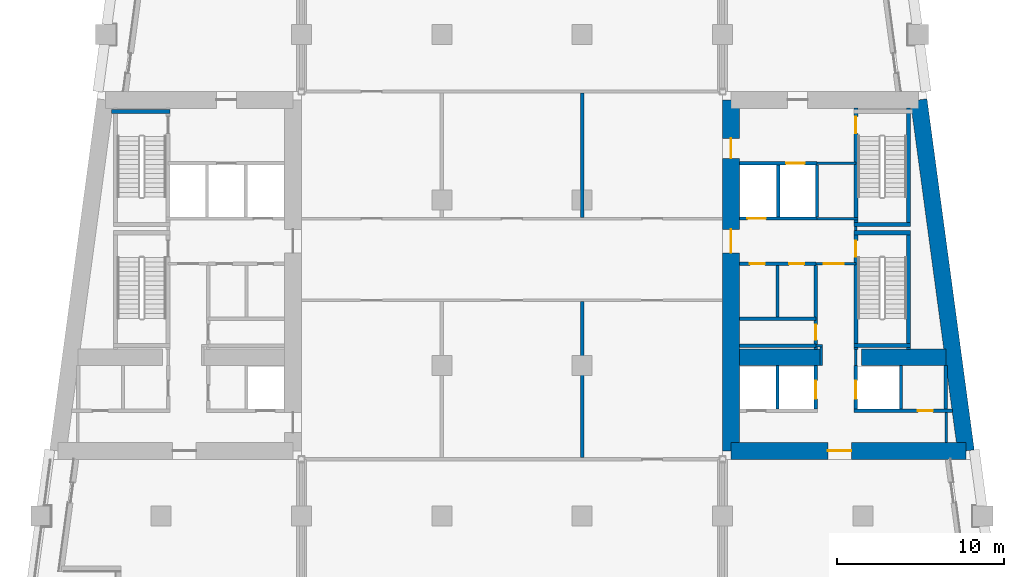
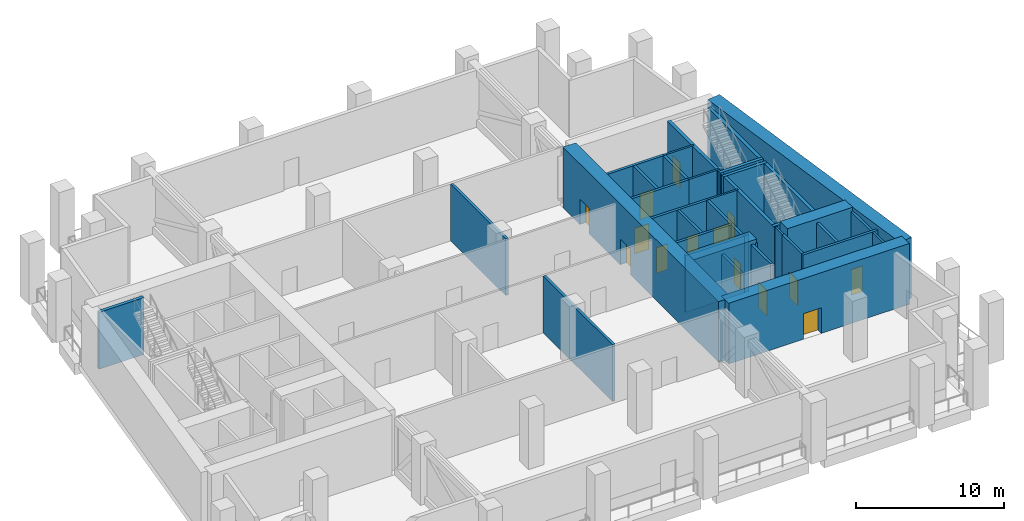
# One storey, part 6 of 11: 38 walls, 14 doors, 14 openings.
"""IFC4 building model written with IfcOpenShell, lengths in metres."""

import ifcopenshell
import ifcopenshell.guid

model = None  # the IFC model being written
_history = None  # IfcOwnerHistory: only IFC2X3 demands one
_inside = {}  # id of a spatial element -> (the spatial element, [elements in it])
_under = {}  # id of a project, library or spatial element -> (it, [spatial elements below it])
_declared = {}  # id of a project -> (the project, [libraries it declares])
_typed = {}  # id of a type object -> (the type object, [elements of that type])
_made_of = {}  # id of a material, layer set ... -> (it, [elements and type objects made of it])


def new_model(schema):
    """Start an empty IFC model of exactly this schema.

    Asked for "IFC4X3", IfcOpenShell would pick the latest addendum, in which some entities
    have other attributes; the version numbers below select the first issue.
    IFC2X3 requires an IfcOwnerHistory on every rooted entity: one is made here for all.
    """
    global model, _history
    if schema == "IFC4X3":
        model = ifcopenshell.file(schema_version=(4, 3, 0, 0))
    else:
        model = ifcopenshell.file(schema=schema)
    _inside.clear()
    _under.clear()
    _declared.clear()
    _typed.clear()
    _made_of.clear()
    _history = None
    if model.schema == "IFC2X3":
        org = make("IfcOrganization", Name="unknown")
        user = make(
            "IfcPersonAndOrganization",
            ThePerson=make("IfcPerson", FamilyName="unknown"),
            TheOrganization=org,
        )
        app = make(
            "IfcApplication",
            ApplicationDeveloper=org,
            Version="unknown",
            ApplicationFullName="unknown",
            ApplicationIdentifier="unknown",
        )
        _history = make(
            "IfcOwnerHistory",
            OwningUser=user,
            OwningApplication=app,
            ChangeAction="ADDED",
            CreationDate=0,
        )
    return model


def make(cls, **values):
    """One entity of the class cls with the attributes given. An attribute that is None is left unset."""
    return model.create_entity(
        cls, **{name: value for name, value in values.items() if value is not None}
    )


def rooted(cls, **values):
    """An entity with a GlobalId (a new one), such as an element, a storey or a relation."""
    return make(cls, GlobalId=ifcopenshell.guid.new(), OwnerHistory=_history, **values)


def si_unit(unit_type, name, prefix=None):
    """IfcSIUnit, for example si_unit("LENGTHUNIT", "METRE", prefix="MILLI")."""
    return make("IfcSIUnit", UnitType=unit_type, Prefix=prefix, Name=name)


def assignment(units):
    """IfcUnitAssignment: the units of a project."""
    return None if units is None else make("IfcUnitAssignment", Units=units)


def point(xyz):
    """IfcCartesianPoint."""
    return None if xyz is None else make("IfcCartesianPoint", Coordinates=xyz)


def direction(xyz):
    """IfcDirection."""
    return None if xyz is None else make("IfcDirection", DirectionRatios=xyz)


def frame(location, z_axis=None, x_axis=None):
    """IfcAxis2Placement3D, a coordinate frame: its origin and axes. An axis left out is left unset."""
    return make(
        "IfcAxis2Placement3D",
        Location=point(location),
        Axis=direction(z_axis),
        RefDirection=direction(x_axis),
    )


def frame_2d(location, x_axis=None):
    """IfcAxis2Placement2D, a coordinate frame in the plane: its origin and x axis."""
    return make(
        "IfcAxis2Placement2D", Location=point(location), RefDirection=direction(x_axis)
    )


def origin():
    """The frame at (0, 0, 0) with its axes left unset."""
    return frame((0.0, 0.0, 0.0))


def place(relative_to, where):
    """IfcLocalPlacement: puts the frame where relative to a parent placement (None: the world)."""
    return make(
        "IfcLocalPlacement", PlacementRelTo=relative_to, RelativePlacement=where
    )


def context(
    kind, dimensions, precision=None, world=None, true_north=None, identifier=None
):
    """IfcGeometricRepresentationContext, for example the 3D "Model" context."""
    return make(
        "IfcGeometricRepresentationContext",
        ContextIdentifier=identifier,
        ContextType=kind,
        CoordinateSpaceDimension=dimensions,
        Precision=precision,
        WorldCoordinateSystem=world,
        TrueNorth=true_north,
    )


def subcontext(parent, identifier, kind, view, scale=None):
    """IfcGeometricRepresentationSubContext, for example "Body" below "Model"."""
    return make(
        "IfcGeometricRepresentationSubContext",
        ContextIdentifier=identifier,
        ContextType=kind,
        ParentContext=parent,
        TargetScale=scale,
        TargetView=view,
    )


def project(units=None, contexts=None):
    """IfcProject with its units and contexts."""
    return rooted(
        "IfcProject",
        Name="project",
        RepresentationContexts=contexts,
        UnitsInContext=assignment(units),
    )


def spatial(cls, under=None, at=None, **own):
    """A site, building, storey or space (cls), placed at a placement, below another one or the project."""
    s = rooted(cls, ObjectPlacement=at, **own)
    if under is not None:
        _under.setdefault(under.id(), (under, []))[1].append(s)
    return s


def profile(cls, at=None, kind="AREA", **sizes):
    """A parametric profile (cls). Its sizes go by their IFC names, for example OverallWidth=200.0."""
    return make(cls, ProfileType=kind, Position=at, **sizes)


def rectangle(**sizes):
    """IfcRectangleProfileDef."""
    return profile("IfcRectangleProfileDef", **sizes)


def extrude(swept, where, along, depth):
    """IfcExtrudedAreaSolid: the profile swept, set in the frame where, extruded along a direction by depth."""
    return make(
        "IfcExtrudedAreaSolid",
        SweptArea=swept,
        Position=where,
        ExtrudedDirection=direction(along),
        Depth=depth,
    )


def shape(context_of_items, identifier, shape_type, items):
    """IfcShapeRepresentation: the items that make up one representation, for example the "Body"."""
    return make(
        "IfcShapeRepresentation",
        ContextOfItems=context_of_items,
        RepresentationIdentifier=identifier,
        RepresentationType=shape_type,
        Items=items,
    )


def material(Name=None, Category=None):
    """IfcMaterial."""
    return make("IfcMaterial", Name=Name, Category=Category)


def layer(
    of_material, thickness, ventilated=None, Name=None, Category=None, Priority=None
):
    """IfcMaterialLayer: one layer of a wall or slab, of a material (None: an air gap)."""
    return make(
        "IfcMaterialLayer",
        Material=of_material,
        LayerThickness=thickness,
        IsVentilated=ventilated,
        Name=Name,
        Category=Category,
        Priority=Priority,
    )


def layer_set(layers, Name=None):
    """IfcMaterialLayerSet."""
    return make("IfcMaterialLayerSet", MaterialLayers=layers, LayerSetName=Name)


def made_of(thing, what):
    """Note that an element or type object is made of a material, layer set ...; save() writes the relation."""
    if what is not None:
        _made_of.setdefault(what.id(), (what, []))[1].append(thing)
    return thing


def type_object(cls, material=None, **own):
    """A type object (cls), such as IfcWallType, which elements share."""
    return made_of(rooted(cls, **own), material)


def element(
    cls,
    number,
    at=None,
    inside=None,
    cuts=None,
    type_object=None,
    material=None,
    context=None,
    identifier="Body",
    shape_type=None,
    held_by="IfcProductDefinitionShape",
    body=None,
    shapes=None,
    **own,
):
    """One element of the class cls, such as IfcWall. Its Tag is "e" and its number.

    at: its placement. inside: the storey or other place that contains it. cuts: it is an
    opening in that element (IfcRelVoidsElement). A single representation is given by context,
    identifier, shape_type and body (its items); several are given by shapes. held_by: the class
    of the entity that holds the representations. save() writes the other relations.
    """
    e = rooted(cls, Tag="e%d" % number, ObjectPlacement=at, **own)
    if body is not None:
        shapes = [shape(context, identifier, shape_type, body)]
    if shapes is not None:
        e.Representation = make(held_by, Representations=shapes)
    if inside is not None:
        _inside.setdefault(inside.id(), (inside, []))[1].append(e)
    if cuts is not None:
        rooted(
            "IfcRelVoidsElement", RelatingBuildingElement=cuts, RelatedOpeningElement=e
        )
    if type_object is not None:
        _typed.setdefault(type_object.id(), (type_object, []))[1].append(e)
    return made_of(e, material)


def fill(opening, filler):
    """IfcRelFillsElement: the door or window that sits in an opening."""
    return rooted(
        "IfcRelFillsElement",
        RelatingOpeningElement=opening,
        RelatedBuildingElement=filler,
    )


def aggregate(whole, parts):
    """IfcRelAggregates: a whole, such as a stair, and the parts it consists of."""
    return rooted("IfcRelAggregates", RelatingObject=whole, RelatedObjects=parts)


def save(model, path):
    """Write the relations noted so far, then the file.

    IfcRelAggregates (storeys below a building ...), IfcRelContainedInSpatialStructure (elements
    in a storey), IfcRelDefinesByType, IfcRelAssociatesMaterial and IfcRelDeclares: one each for
    every whole, place, type object, material and project.
    """
    for whole, parts in _under.values():
        aggregate(whole, parts)
    for where, things in _inside.values():
        rooted(
            "IfcRelContainedInSpatialStructure",
            RelatedElements=things,
            RelatingStructure=where,
        )
    for kind, things in _typed.values():
        rooted("IfcRelDefinesByType", RelatedObjects=things, RelatingType=kind)
    for what, things in _made_of.values():
        rooted("IfcRelAssociatesMaterial", RelatedObjects=things, RelatingMaterial=what)
    for by, libraries in _declared.values():
        rooted("IfcRelDeclares", RelatingContext=by, RelatedDefinitions=libraries)
    model.write(path)


model = new_model("IFC4")

# Units and contexts
model_context = context("Model", 3, precision=1e-05, world=origin(), true_north=direction((0.0, 1.0)))
body_context = subcontext(model_context, "Body", "Model", "MODEL_VIEW")
ifc_project = project(units=[si_unit("LENGTHUNIT", "METRE"), si_unit("AREAUNIT", "SQUARE_METRE"), si_unit("VOLUMEUNIT", "CUBIC_METRE"), si_unit("PLANEANGLEUNIT", "RADIAN"), si_unit("MASSUNIT", "GRAM", prefix="KILO")], contexts=[model_context])

# Site, building, storey
site_placement = place(None, origin())
site = spatial("IfcSite", under=ifc_project, at=site_placement, CompositionType="ELEMENT")
building_placement = place(site_placement, origin())
building = spatial("IfcBuilding", under=site, at=building_placement, Name="Candeia Pilgrim Tower and Theatre", CompositionType="ELEMENT")
storey_placement = place(building_placement, frame((0.0, 0.0, 142.800048828125)))
storey = spatial("IfcBuildingStorey", under=building, at=storey_placement, Name="L33", CompositionType="ELEMENT", Elevation=142.800048828125)

# Wall
ifc_material_1 = material(Name="Concrete C70/85", Category="concrete")
ifc_layer_1 = layer(ifc_material_1, 1.0)
ifc_layer_set_1 = layer_set([ifc_layer_1], Name="Core wall 1000 C70/85")
wall_type_1 = type_object("IfcWallType", Name="Core wall 1000 C70/85", PredefinedType="SHEAR", material=ifc_layer_set_1)
wall_1_placement = place(storey_placement, frame((137.73193359375, 131.89990234375, 0.0), z_axis=(0.0, 0.0, 1.0), x_axis=(0.133411141623, -0.991060778808, 0.0)))
element("IfcWall", 1, at=wall_1_placement, inside=storey, type_object=wall_type_1, Name="Core wall E2", PredefinedType="SHEAR", context=body_context, shape_type="SweptSolid", body=[
    extrude(rectangle(XDim=21.189453125, YDim=1.0, at=frame_2d((10.5947265625, 0.0))), origin(), (0.0, 0.0, 1.0), 5.0),
])

# Wall, opening, door
wall_2_placement = place(storey_placement, frame((140.558837890625, 110.89990234375, 0.0), z_axis=(0.0, 0.0, 1.0), x_axis=(-1.0, 0.0, 0.0)))
wall_2 = element("IfcWall", 2, at=wall_2_placement, inside=storey, type_object=wall_type_1, Name="Core wall E3", PredefinedType="SHEAR", context=body_context, shape_type="SweptSolid", body=[
    extrude(rectangle(XDim=14.058837890625, YDim=1.0, at=frame_2d((7.029296875, 0.0))), origin(), (0.0, 0.0, 1.0), 5.0),
])
opening_1_placement = place(wall_2_placement, frame((6.857666015625, 0.0, 0.0)))
opening_1 = element("IfcOpeningElement", 3, at=opening_1_placement, cuts=wall_2, Name="Opening L33-D027", PredefinedType="OPENING", context=body_context, shape_type="SweptSolid", body=[
    extrude(rectangle(XDim=1.39990234375, YDim=2.10009765625, at=frame_2d((0.699951171875, 1.050048828125))), frame((0.0, 0.510009765625, 0.0), z_axis=(0.0, -1.0, 0.0), x_axis=(1.0, 0.0, 0.0)), (0.0, 0.0, 1.0), 1.02001953125),
])
ifc_material_2 = material(Name="Steel fire door set", Category="steel")
door_type_1 = type_object("IfcDoorType", Name="D-1400-FD60", OperationType="NOTDEFINED", PredefinedType="DOOR", material=ifc_material_2)
door_1_placement = place(opening_1_placement, origin())
door_1 = element("IfcDoor", 4, at=door_1_placement, inside=storey, type_object=door_type_1, Name="Door L33-D027", OperationType="SINGLE_SWING_RIGHT", OverallHeight=2.10009765625, OverallWidth=1.39990234375, PredefinedType="DOOR", context=body_context, shape_type="SweptSolid", body=[
    extrude(rectangle(XDim=1.39990234375, YDim=2.10009765625, at=frame_2d((0.699951171875, 1.050048828125))), frame((0.0, 0.02490234375, 0.0), z_axis=(0.0, -1.0, 0.0), x_axis=(1.0, 0.0, 0.0)), (0.0, 0.0, 1.0), 0.050048828125),
])
fill(opening_1, door_1)

# Wall, openings, doors
wall_3_placement = place(storey_placement, frame((126.5, 110.89990234375, 0.0), z_axis=(0.0, 0.0, 1.0), x_axis=(0.0, 1.0, 0.0)))
wall_3 = element("IfcWall", 5, at=wall_3_placement, inside=storey, type_object=wall_type_1, Name="Core wall E4", PredefinedType="SHEAR", context=body_context, shape_type="SweptSolid", body=[
    extrude(rectangle(XDim=21.0, YDim=1.0, at=frame_2d((10.5, 0.0))), origin(), (0.0, 0.0, 1.0), 5.0),
])
opening_2_placement = place(wall_3_placement, frame((17.5, 0.0, 0.0)))
opening_2 = element("IfcOpeningElement", 6, at=opening_2_placement, cuts=wall_3, Name="Opening L33-D030", PredefinedType="OPENING", context=body_context, shape_type="SweptSolid", body=[
    extrude(rectangle(XDim=1.199951171875, YDim=2.10009765625, at=frame_2d((0.60009765625, 1.050048828125))), frame((0.0, 0.510009765625, 0.0), z_axis=(0.0, -1.0, 0.0), x_axis=(1.0, 0.0, 0.0)), (0.0, 0.0, 1.0), 1.02001953125),
])
opening_3_placement = place(wall_3_placement, frame((11.85009765625, 0.0, 0.0)))
opening_3 = element("IfcOpeningElement", 7, at=opening_3_placement, cuts=wall_3, Name="Opening L33-D032", PredefinedType="OPENING", context=body_context, shape_type="SweptSolid", body=[
    extrude(rectangle(XDim=1.39990234375, YDim=2.10009765625, at=frame_2d((0.699951171875, 1.050048828125))), frame((0.0, 0.510009765625, 0.0), z_axis=(0.0, -1.0, 0.0), x_axis=(1.0, 0.0, 0.0)), (0.0, 0.0, 1.0), 1.02001953125),
])
door_type_2 = type_object("IfcDoorType", Name="D-1200-FD60", OperationType="NOTDEFINED", PredefinedType="DOOR", material=ifc_material_2)
door_2_placement = place(opening_2_placement, origin())
door_2 = element("IfcDoor", 8, at=door_2_placement, inside=storey, type_object=door_type_2, Name="Door L33-D030", OperationType="SINGLE_SWING_LEFT", OverallHeight=2.10009765625, OverallWidth=1.199951171875, PredefinedType="DOOR", context=body_context, shape_type="SweptSolid", body=[
    extrude(rectangle(XDim=1.199951171875, YDim=2.10009765625, at=frame_2d((0.60009765625, 1.050048828125))), frame((0.0, 0.02490234375, 0.0), z_axis=(0.0, -1.0, 0.0), x_axis=(1.0, 0.0, 0.0)), (0.0, 0.0, 1.0), 0.050048828125),
])
fill(opening_2, door_2)
door_3_placement = place(opening_3_placement, origin())
door_3 = element("IfcDoor", 9, at=door_3_placement, inside=storey, type_object=door_type_1, Name="Door L33-D032", OperationType="SINGLE_SWING_LEFT", OverallHeight=2.10009765625, OverallWidth=1.39990234375, PredefinedType="DOOR", context=body_context, shape_type="SweptSolid", body=[
    extrude(rectangle(XDim=1.39990234375, YDim=2.10009765625, at=frame_2d((0.699951171875, 1.050048828125))), frame((0.0, 0.02490234375, 0.0), z_axis=(0.0, -1.0, 0.0), x_axis=(1.0, 0.0, 0.0)), (0.0, 0.0, 1.0), 0.050048828125),
])
fill(opening_3, door_3)

# Walls
wall_4_placement = place(storey_placement, frame((127.0, 116.5, 0.0), z_axis=(0.0, 0.0, 1.0), x_axis=(1.0, 0.0, 0.0)))
element("IfcWall", 10, at=wall_4_placement, inside=storey, type_object=wall_type_1, Name="Core wall E5", PredefinedType="SHEAR", context=body_context, shape_type="SweptSolid", body=[
    extrude(rectangle(XDim=4.89990234375, YDim=1.0, at=frame_2d((2.449951171875, 0.0))), origin(), (0.0, 0.0, 1.0), 5.0),
])
wall_5_placement = place(storey_placement, frame((134.300048828125, 116.5, 0.0), z_axis=(0.0, 0.0, 1.0), x_axis=(1.0, 0.0, 0.0)))
element("IfcWall", 11, at=wall_5_placement, inside=storey, type_object=wall_type_1, Name="Core wall E6", PredefinedType="SHEAR", context=body_context, shape_type="SweptSolid", body=[
    extrude(rectangle(XDim=5.076904296875, YDim=1.0, at=frame_2d((2.53857421875, 0.0))), origin(), (0.0, 0.0, 1.0), 5.0),
])
ifc_material_3 = material(Name="Gypsum board partition on steel studs", Category="steel")
ifc_layer_2 = layer(ifc_material_3, 0.14990234375)
ifc_layer_set_2 = layer_set([ifc_layer_2], Name="PW-150 lobby wall")
wall_type_2 = type_object("IfcWallType", Name="PW-150 lobby wall", PredefinedType="PARTITIONING", material=ifc_layer_set_2)
wall_6_placement = place(storey_placement, frame((131.572998046875, 117.199951171875, 0.0), z_axis=(0.0, 0.0, 1.0), x_axis=(1.0, 0.0, 0.0)))
element("IfcWall", 12, at=wall_6_placement, inside=storey, type_object=wall_type_2, Name="Lobby wall L33-009", PredefinedType="PARTITIONING", context=body_context, shape_type="SweptSolid", body=[
    extrude(rectangle(XDim=0.402099609375, YDim=0.14990234375, at=frame_2d((0.201171875, 0.0))), origin(), (0.0, 0.0, 1.0), 4.679931640625),
])

# Wall, opening, door
wall_7_placement = place(storey_placement, frame((131.572998046875, 122.10009765625, 0.0), z_axis=(0.0, 0.0, 1.0), x_axis=(1.0, 0.0, 0.0)))
wall_7 = element("IfcWall", 13, at=wall_7_placement, inside=storey, type_object=wall_type_2, Name="Lobby wall L33-018", PredefinedType="PARTITIONING", context=body_context, shape_type="SweptSolid", body=[
    extrude(rectangle(XDim=2.39990234375, YDim=0.14990234375, at=frame_2d((1.199951171875, 0.0))), origin(), (0.0, 0.0, 1.0), 4.679931640625),
])
opening_4_placement = place(wall_7_placement, frame((0.47509765625, 0.0, 0.0)))
opening_4 = element("IfcOpeningElement", 14, at=opening_4_placement, cuts=wall_7, Name="Opening L33-D018", PredefinedType="OPENING", context=body_context, shape_type="SweptSolid", body=[
    extrude(rectangle(XDim=1.199951171875, YDim=2.10009765625, at=frame_2d((0.60009765625, 1.050048828125))), frame((0.0, 0.0849609375, 0.0), z_axis=(0.0, -1.0, 0.0), x_axis=(1.0, 0.0, 0.0)), (0.0, 0.0, 1.0), 0.169921875),
])
door_4_placement = place(opening_4_placement, origin())
door_4 = element("IfcDoor", 15, at=door_4_placement, inside=storey, type_object=door_type_2, Name="Door L33-D018", OperationType="SINGLE_SWING_RIGHT", OverallHeight=2.10009765625, OverallWidth=1.199951171875, PredefinedType="DOOR", context=body_context, shape_type="SweptSolid", body=[
    extrude(rectangle(XDim=1.199951171875, YDim=2.10009765625, at=frame_2d((0.60009765625, 1.050048828125))), frame((0.0, 0.02490234375, 0.0), z_axis=(0.0, -1.0, 0.0), x_axis=(1.0, 0.0, 0.0)), (0.0, 0.0, 1.0), 0.050048828125),
])
fill(opening_4, door_4)

# Walls
wall_8_placement = place(storey_placement, frame((131.648681640625, 124.800048828125, 0.0), z_axis=(0.0, 0.0, 1.0), x_axis=(1.0, 0.0, 0.0)))
element("IfcWall", 16, at=wall_8_placement, inside=storey, type_object=wall_type_2, Name="Lobby wall L33-025", PredefinedType="PARTITIONING", context=body_context, shape_type="SweptSolid", body=[
    extrude(rectangle(XDim=2.44921875, YDim=0.14990234375, at=frame_2d((1.224609375, 0.0))), origin(), (0.0, 0.0, 1.0), 4.679931640625),
])
wall_9_placement = place(storey_placement, frame((131.648681640625, 128.10009765625, 0.0), z_axis=(0.0, 0.0, 1.0), x_axis=(1.0, 0.0, 0.0)))
element("IfcWall", 17, at=wall_9_placement, inside=storey, type_object=wall_type_2, Name="Lobby wall L33-029", PredefinedType="PARTITIONING", context=body_context, shape_type="SweptSolid", body=[
    extrude(rectangle(XDim=2.32421875, YDim=0.14990234375, at=frame_2d((1.162109375, 0.0))), origin(), (0.0, 0.0, 1.0), 4.679931640625),
])
wall_10_placement = place(storey_placement, frame((131.89990234375, 116.0, 0.0), z_axis=(0.0, 0.0, 1.0), x_axis=(0.0, 1.0, 0.0)))
element("IfcWall", 18, at=wall_10_placement, inside=storey, type_object=wall_type_2, Name="Lobby wall L33-064", PredefinedType="PARTITIONING", context=body_context, shape_type="SweptSolid", body=[
    extrude(rectangle(XDim=1.125, YDim=0.14990234375, at=frame_2d((0.5625, 0.0))), origin(), (0.0, 0.0, 1.0), 4.679931640625),
])
wall_11_placement = place(storey_placement, frame((133.972900390625, 116.0, 0.0), z_axis=(0.0, 0.0, 1.0), x_axis=(0.0, 1.0, 0.0)))
element("IfcWall", 19, at=wall_11_placement, inside=storey, type_object=wall_type_2, Name="Lobby wall L33-066", PredefinedType="PARTITIONING", context=body_context, shape_type="SweptSolid", body=[
    extrude(rectangle(XDim=0.969970703125, YDim=0.14990234375, at=frame_2d((0.48486328125, 0.0))), origin(), (0.0, 0.0, 1.0), 4.679931640625),
])
wall_12_placement = place(storey_placement, frame((133.972900390625, 124.074951171875, 0.0), z_axis=(0.0, 0.0, 1.0), x_axis=(0.0, 1.0, 0.0)))
element("IfcWall", 20, at=wall_12_placement, inside=storey, type_object=wall_type_2, Name="Lobby wall L33-067", PredefinedType="PARTITIONING", context=body_context, shape_type="SweptSolid", body=[
    extrude(rectangle(XDim=0.25, YDim=0.14990234375, at=frame_2d((0.125, 0.0))), origin(), (0.0, 0.0, 1.0), 4.679931640625),
])
wall_13_placement = place(storey_placement, frame((139.37109375, 111.39990234375, 0.0), z_axis=(0.0, 0.0, 1.0), x_axis=(0.0, 1.0, 0.0)))
element("IfcWall", 21, at=wall_13_placement, inside=storey, type_object=wall_type_2, Name="Lobby wall L33-074", PredefinedType="PARTITIONING", context=body_context, shape_type="SweptSolid", body=[
    extrude(rectangle(XDim=1.800048828125, YDim=0.14990234375, at=frame_2d((0.89990234375, 0.0))), origin(), (0.0, 0.0, 1.0), 4.679931640625),
])
ifc_layer_3 = layer(ifc_material_3, 0.199951171875)
ifc_layer_set_3 = layer_set([ifc_layer_3], Name="PW-200 party wall")
wall_type_3 = type_object("IfcWallType", Name="PW-200 party wall", PredefinedType="PARTITIONING", material=ifc_layer_set_3)
wall_14_placement = place(storey_placement, frame((117.60009765625, 110.5, 0.0), z_axis=(0.0, 0.0, 1.0), x_axis=(0.0, 1.0, 0.0)))
element("IfcWall", 22, at=wall_14_placement, inside=storey, type_object=wall_type_3, Name="Party wall L33-054", PredefinedType="PARTITIONING", context=body_context, shape_type="SweptSolid", body=[
    extrude(rectangle(XDim=9.324951171875, YDim=0.199951171875, at=frame_2d((4.66259765625, 0.0))), origin(), (0.0, 0.0, 1.0), 4.679931640625),
])
wall_15_placement = place(storey_placement, frame((117.60009765625, 124.875, 0.0), z_axis=(0.0, 0.0, 1.0), x_axis=(0.0, 1.0, 0.0)))
element("IfcWall", 23, at=wall_15_placement, inside=storey, type_object=wall_type_3, Name="Party wall L33-055", PredefinedType="PARTITIONING", context=body_context, shape_type="SweptSolid", body=[
    extrude(rectangle(XDim=7.425048828125, YDim=0.199951171875, at=frame_2d((3.71240234375, 0.0))), origin(), (0.0, 0.0, 1.0), 4.679931640625),
])

# Wall, opening, door
ifc_material_4 = material(Name="Concrete C40/50", Category="concrete")
ifc_layer_4 = layer(ifc_material_4, 0.199951171875)
ifc_layer_set_4 = layer_set([ifc_layer_4], Name="SW-200 shaft wall")
wall_type_4 = type_object("IfcWallType", Name="SW-200 shaft wall", PredefinedType="PARTITIONING", material=ifc_layer_set_4)
wall_16_placement = place(storey_placement, frame((133.873046875, 113.300048828125, 0.0), z_axis=(0.0, 0.0, 1.0), x_axis=(1.0, 0.0, 0.0)))
wall_16 = element("IfcWall", 24, at=wall_16_placement, inside=storey, type_object=wall_type_4, Name="Shaft wall L33-005", PredefinedType="PARTITIONING", context=body_context, shape_type="SweptSolid", body=[
    extrude(rectangle(XDim=5.888427734375, YDim=0.199951171875, at=frame_2d((2.9443359375, 0.0))), origin(), (0.0, 0.0, 1.0), 4.679931640625),
])
opening_5_placement = place(wall_16_placement, frame((3.80810546875, 0.0, 0.0)))
opening_5 = element("IfcOpeningElement", 25, at=opening_5_placement, cuts=wall_16, Name="Opening L33-D024", PredefinedType="OPENING", context=body_context, shape_type="SweptSolid", body=[
    extrude(rectangle(XDim=0.89990234375, YDim=2.10009765625, at=frame_2d((0.449951171875, 1.050048828125))), frame((0.0, 0.10986328125, 0.0), z_axis=(0.0, -1.0, 0.0), x_axis=(1.0, 0.0, 0.0)), (0.0, 0.0, 1.0), 0.219970703125),
])
door_type_3 = type_object("IfcDoorType", Name="D-900-FD60", OperationType="NOTDEFINED", PredefinedType="DOOR", material=ifc_material_2)
door_5_placement = place(opening_5_placement, origin())
door_5 = element("IfcDoor", 26, at=door_5_placement, inside=storey, type_object=door_type_3, Name="Door L33-D024", OperationType="SINGLE_SWING_LEFT", OverallHeight=2.10009765625, OverallWidth=0.89990234375, PredefinedType="DOOR", context=body_context, shape_type="SweptSolid", body=[
    extrude(rectangle(XDim=0.89990234375, YDim=2.10009765625, at=frame_2d((0.449951171875, 1.050048828125))), frame((0.0, 0.02490234375, 0.0), z_axis=(0.0, -1.0, 0.0), x_axis=(1.0, 0.0, 0.0)), (0.0, 0.0, 1.0), 0.050048828125),
])
fill(opening_5, door_5)

# Walls
for number, where, z_axis, x_axis, name in (
    (27, (127.0, 117.199951171875, 0.0), (0.0, 0.0, 1.0), (1.0, 0.0, 0.0), "Shaft wall L33-007"),
    (28, (127.0, 118.800048828125, 0.0), (0.0, 0.0, 1.0), (1.0, 0.0, 0.0), "Shaft wall L33-013"),
):
    element("IfcWall", number, at=place(storey_placement, frame(where, z_axis=z_axis, x_axis=x_axis)), inside=storey, type_object=wall_type_4, Name=name, PredefinedType="PARTITIONING", context=body_context, shape_type="SweptSolid", body=[
        extrude(rectangle(XDim=4.572998046875, YDim=0.199951171875, at=frame_2d((2.28662109375, 0.0))), origin(), (0.0, 0.0, 1.0), 4.679931640625),
    ])

# Wall, openings, doors
wall_17_placement = place(storey_placement, frame((127.0, 122.10009765625, 0.0), z_axis=(0.0, 0.0, 1.0), x_axis=(1.0, 0.0, 0.0)))
wall_17 = element("IfcWall", 29, at=wall_17_placement, inside=storey, type_object=wall_type_4, Name="Shaft wall L33-016", PredefinedType="PARTITIONING", context=body_context, shape_type="SweptSolid", body=[
    extrude(rectangle(XDim=4.572998046875, YDim=0.199951171875, at=frame_2d((2.28662109375, 0.0))), origin(), (0.0, 0.0, 1.0), 4.679931640625),
])
opening_6_placement = place(wall_17_placement, frame((2.97998046875, 0.0, 0.0)))
opening_6 = element("IfcOpeningElement", 30, at=opening_6_placement, cuts=wall_17, Name="Opening L33-D019", PredefinedType="OPENING", context=body_context, shape_type="SweptSolid", body=[
    extrude(rectangle(XDim=0.89990234375, YDim=2.10009765625, at=frame_2d((0.449951171875, 1.050048828125))), frame((0.0, 0.10986328125, 0.0), z_axis=(0.0, -1.0, 0.0), x_axis=(1.0, 0.0, 0.0)), (0.0, 0.0, 1.0), 0.219970703125),
])
opening_7_placement = place(wall_17_placement, frame((0.625, 0.0, 0.0)))
opening_7 = element("IfcOpeningElement", 31, at=opening_7_placement, cuts=wall_17, Name="Opening L33-D020", PredefinedType="OPENING", context=body_context, shape_type="SweptSolid", body=[
    extrude(rectangle(XDim=0.89990234375, YDim=2.10009765625, at=frame_2d((0.449951171875, 1.050048828125))), frame((0.0, 0.10986328125, 0.0), z_axis=(0.0, -1.0, 0.0), x_axis=(1.0, 0.0, 0.0)), (0.0, 0.0, 1.0), 0.219970703125),
])
door_6_placement = place(opening_6_placement, origin())
door_6 = element("IfcDoor", 32, at=door_6_placement, inside=storey, type_object=door_type_3, Name="Door L33-D019", OperationType="SINGLE_SWING_LEFT", OverallHeight=2.10009765625, OverallWidth=0.89990234375, PredefinedType="DOOR", context=body_context, shape_type="SweptSolid", body=[
    extrude(rectangle(XDim=0.89990234375, YDim=2.10009765625, at=frame_2d((0.449951171875, 1.050048828125))), frame((0.0, 0.02490234375, 0.0), z_axis=(0.0, -1.0, 0.0), x_axis=(1.0, 0.0, 0.0)), (0.0, 0.0, 1.0), 0.050048828125),
])
fill(opening_6, door_6)
door_7_placement = place(opening_7_placement, origin())
door_7 = element("IfcDoor", 33, at=door_7_placement, inside=storey, type_object=door_type_3, Name="Door L33-D020", OperationType="SINGLE_SWING_RIGHT", OverallHeight=2.10009765625, OverallWidth=0.89990234375, PredefinedType="DOOR", context=body_context, shape_type="SweptSolid", body=[
    extrude(rectangle(XDim=0.89990234375, YDim=2.10009765625, at=frame_2d((0.449951171875, 1.050048828125))), frame((0.0, 0.02490234375, 0.0), z_axis=(0.0, -1.0, 0.0), x_axis=(1.0, 0.0, 0.0)), (0.0, 0.0, 1.0), 0.050048828125),
])
fill(opening_7, door_7)

# Wall, opening, door
wall_18_placement = place(storey_placement, frame((127.0, 124.800048828125, 0.0), z_axis=(0.0, 0.0, 1.0), x_axis=(1.0, 0.0, 0.0)))
wall_18 = element("IfcWall", 34, at=wall_18_placement, inside=storey, type_object=wall_type_4, Name="Shaft wall L33-024", PredefinedType="PARTITIONING", context=body_context, shape_type="SweptSolid", body=[
    extrude(rectangle(XDim=4.648681640625, YDim=0.199951171875, at=frame_2d((2.32421875, 0.0))), origin(), (0.0, 0.0, 1.0), 4.679931640625),
])
opening_8_placement = place(wall_18_placement, frame((0.48095703125, 0.0, 0.0)))
opening_8 = element("IfcOpeningElement", 35, at=opening_8_placement, cuts=wall_18, Name="Opening L33-LD05", PredefinedType="OPENING", context=body_context, shape_type="SweptSolid", body=[
    extrude(rectangle(XDim=1.10009765625, YDim=2.10009765625, at=frame_2d((0.550048828125, 1.050048828125))), frame((0.0, 0.10986328125, 0.0), z_axis=(0.0, -1.0, 0.0), x_axis=(1.0, 0.0, 0.0)), (0.0, 0.0, 1.0), 0.219970703125),
])
ifc_material_5 = material(Name="Glazed aluminium landing door", Category="aluminium")
door_type_4 = type_object("IfcDoorType", Name="LD-1100-EI120", OperationType="SLIDING_TO_LEFT", PredefinedType="DOOR", material=ifc_material_5)
door_8_placement = place(opening_8_placement, origin())
door_8 = element("IfcDoor", 36, at=door_8_placement, inside=storey, type_object=door_type_4, Name="Landing door 05 L33", OperationType="SLIDING_TO_LEFT", OverallHeight=2.10009765625, OverallWidth=1.10009765625, PredefinedType="DOOR", context=body_context, shape_type="SweptSolid", body=[
    extrude(rectangle(XDim=1.10009765625, YDim=2.10009765625, at=frame_2d((0.550048828125, 1.050048828125))), frame((0.0, 0.02490234375, 0.0), z_axis=(0.0, -1.0, 0.0), x_axis=(1.0, 0.0, 0.0)), (0.0, 0.0, 1.0), 0.050048828125),
])
fill(opening_8, door_8)

wall_19_placement = place(storey_placement, frame((127.0, 128.10009765625, 0.0), z_axis=(0.0, 0.0, 1.0), x_axis=(1.0, 0.0, 0.0)))
wall_19 = element("IfcWall", 37, at=wall_19_placement, inside=storey, type_object=wall_type_4, Name="Shaft wall L33-028", PredefinedType="PARTITIONING", context=body_context, shape_type="SweptSolid", body=[
    extrude(rectangle(XDim=4.648681640625, YDim=0.199951171875, at=frame_2d((2.32421875, 0.0))), origin(), (0.0, 0.0, 1.0), 4.679931640625),
])
opening_9_placement = place(wall_19_placement, frame((2.804931640625, 0.0, 0.0)))
opening_9 = element("IfcOpeningElement", 38, at=opening_9_placement, cuts=wall_19, Name="Opening L33-LD04", PredefinedType="OPENING", context=body_context, shape_type="SweptSolid", body=[
    extrude(rectangle(XDim=1.10009765625, YDim=2.10009765625, at=frame_2d((0.550048828125, 1.050048828125))), frame((0.0, 0.10986328125, 0.0), z_axis=(0.0, -1.0, 0.0), x_axis=(1.0, 0.0, 0.0)), (0.0, 0.0, 1.0), 0.219970703125),
])
door_9_placement = place(opening_9_placement, origin())
door_9 = element("IfcDoor", 39, at=door_9_placement, inside=storey, type_object=door_type_4, Name="Landing door 04 L33", OperationType="SLIDING_TO_LEFT", OverallHeight=2.10009765625, OverallWidth=1.10009765625, PredefinedType="DOOR", context=body_context, shape_type="SweptSolid", body=[
    extrude(rectangle(XDim=1.10009765625, YDim=2.10009765625, at=frame_2d((0.550048828125, 1.050048828125))), frame((0.0, 0.02490234375, 0.0), z_axis=(0.0, -1.0, 0.0), x_axis=(1.0, 0.0, 0.0)), (0.0, 0.0, 1.0), 0.050048828125),
])
fill(opening_9, door_9)

# Walls
wall_20_placement = place(storey_placement, frame((129.28662109375, 113.39990234375, 0.0), z_axis=(0.0, 0.0, 1.0), x_axis=(0.0, 1.0, 0.0)))
element("IfcWall", 40, at=wall_20_placement, inside=storey, type_object=wall_type_4, Name="Shaft wall L33-058", PredefinedType="PARTITIONING", context=body_context, shape_type="SweptSolid", body=[
    extrude(rectangle(XDim=2.60009765625, YDim=0.199951171875, at=frame_2d((1.300048828125, 0.0))), origin(), (0.0, 0.0, 1.0), 4.679931640625),
])
for number, where, z_axis, x_axis, name in (
    (41, (129.28662109375, 118.89990234375, 0.0), (0.0, 0.0, 1.0), (0.0, 1.0, 0.0), "Shaft wall L33-059"),
    (42, (129.32421875, 124.89990234375, 0.0), (0.0, 0.0, 1.0), (0.0, 1.0, 0.0), "Shaft wall L33-060"),
):
    element("IfcWall", number, at=place(storey_placement, frame(where, z_axis=z_axis, x_axis=x_axis)), inside=storey, type_object=wall_type_4, Name=name, PredefinedType="PARTITIONING", context=body_context, shape_type="SweptSolid", body=[
        extrude(rectangle(XDim=3.10009765625, YDim=0.199951171875, at=frame_2d((1.550048828125, 0.0))), origin(), (0.0, 0.0, 1.0), 4.679931640625),
    ])

# Wall, opening, door
wall_21_placement = place(storey_placement, frame((131.572998046875, 113.39990234375, 0.0), z_axis=(0.0, 0.0, 1.0), x_axis=(0.0, 1.0, 0.0)))
wall_21 = element("IfcWall", 43, at=wall_21_placement, inside=storey, type_object=wall_type_4, Name="Shaft wall L33-061", PredefinedType="PARTITIONING", context=body_context, shape_type="SweptSolid", body=[
    extrude(rectangle(XDim=2.60009765625, YDim=0.199951171875, at=frame_2d((1.300048828125, 0.0))), origin(), (0.0, 0.0, 1.0), 4.679931640625),
])
opening_10_placement = place(wall_21_placement, frame((0.610107421875, 0.0, 0.0)))
opening_10 = element("IfcOpeningElement", 44, at=opening_10_placement, cuts=wall_21, Name="Opening L33-LD07", PredefinedType="OPENING", context=body_context, shape_type="SweptSolid", body=[
    extrude(rectangle(XDim=1.10009765625, YDim=2.10009765625, at=frame_2d((0.550048828125, 1.050048828125))), frame((0.0, 0.10986328125, 0.0), z_axis=(0.0, -1.0, 0.0), x_axis=(1.0, 0.0, 0.0)), (0.0, 0.0, 1.0), 0.219970703125),
])
door_10_placement = place(opening_10_placement, origin())
door_10 = element("IfcDoor", 45, at=door_10_placement, inside=storey, type_object=door_type_4, Name="Landing door 07 L33", OperationType="SLIDING_TO_LEFT", OverallHeight=2.10009765625, OverallWidth=1.10009765625, PredefinedType="DOOR", context=body_context, shape_type="SweptSolid", body=[
    extrude(rectangle(XDim=1.10009765625, YDim=2.10009765625, at=frame_2d((0.550048828125, 1.050048828125))), frame((0.0, 0.02490234375, 0.0), z_axis=(0.0, -1.0, 0.0), x_axis=(1.0, 0.0, 0.0)), (0.0, 0.0, 1.0), 0.050048828125),
])
fill(opening_10, door_10)

wall_22_placement = place(storey_placement, frame((131.572998046875, 116.969970703125, 0.0), z_axis=(0.0, 0.0, 1.0), x_axis=(0.0, 1.0, 0.0)))
wall_22 = element("IfcWall", 46, at=wall_22_placement, inside=storey, type_object=wall_type_4, Name="Shaft wall L33-062", PredefinedType="PARTITIONING", context=body_context, shape_type="SweptSolid", body=[
    extrude(rectangle(XDim=5.030029296875, YDim=0.199951171875, at=frame_2d((2.51513671875, 0.0))), origin(), (0.0, 0.0, 1.0), 4.679931640625),
])
opening_11_placement = place(wall_22_placement, frame((0.580078125, 0.0, 0.0)))
opening_11 = element("IfcOpeningElement", 47, at=opening_11_placement, cuts=wall_22, Name="Opening L33-D023", PredefinedType="OPENING", context=body_context, shape_type="SweptSolid", body=[
    extrude(rectangle(XDim=0.89990234375, YDim=2.10009765625, at=frame_2d((0.449951171875, 1.050048828125))), frame((0.0, 0.10986328125, 0.0), z_axis=(0.0, -1.0, 0.0), x_axis=(1.0, 0.0, 0.0)), (0.0, 0.0, 1.0), 0.219970703125),
])
door_11_placement = place(opening_11_placement, origin())
door_11 = element("IfcDoor", 48, at=door_11_placement, inside=storey, type_object=door_type_3, Name="Door L33-D023", OperationType="SINGLE_SWING_LEFT", OverallHeight=2.10009765625, OverallWidth=0.89990234375, PredefinedType="DOOR", context=body_context, shape_type="SweptSolid", body=[
    extrude(rectangle(XDim=0.89990234375, YDim=2.10009765625, at=frame_2d((0.449951171875, 1.050048828125))), frame((0.0, 0.02490234375, 0.0), z_axis=(0.0, -1.0, 0.0), x_axis=(1.0, 0.0, 0.0)), (0.0, 0.0, 1.0), 0.050048828125),
])
fill(opening_11, door_11)

# Wall
wall_23_placement = place(storey_placement, frame((131.648681640625, 124.89990234375, 0.0), z_axis=(0.0, 0.0, 1.0), x_axis=(0.0, 1.0, 0.0)))
element("IfcWall", 49, at=wall_23_placement, inside=storey, type_object=wall_type_4, Name="Shaft wall L33-063", PredefinedType="PARTITIONING", context=body_context, shape_type="SweptSolid", body=[
    extrude(rectangle(XDim=3.10009765625, YDim=0.199951171875, at=frame_2d((1.550048828125, 0.0))), origin(), (0.0, 0.0, 1.0), 4.679931640625),
])

# Wall, opening, door
wall_24_placement = place(storey_placement, frame((133.972900390625, 113.39990234375, 0.0), z_axis=(0.0, 0.0, 1.0), x_axis=(0.0, 1.0, 0.0)))
wall_24 = element("IfcWall", 50, at=wall_24_placement, inside=storey, type_object=wall_type_4, Name="Shaft wall L33-065", PredefinedType="PARTITIONING", context=body_context, shape_type="SweptSolid", body=[
    extrude(rectangle(XDim=2.60009765625, YDim=0.199951171875, at=frame_2d((1.300048828125, 0.0))), origin(), (0.0, 0.0, 1.0), 4.679931640625),
])
opening_12_placement = place(wall_24_placement, frame((0.610107421875, 0.0, 0.0)))
opening_12 = element("IfcOpeningElement", 51, at=opening_12_placement, cuts=wall_24, Name="Opening L33-LD06", PredefinedType="OPENING", context=body_context, shape_type="SweptSolid", body=[
    extrude(rectangle(XDim=1.10009765625, YDim=2.10009765625, at=frame_2d((0.550048828125, 1.050048828125))), frame((0.0, 0.10986328125, 0.0), z_axis=(0.0, -1.0, 0.0), x_axis=(1.0, 0.0, 0.0)), (0.0, 0.0, 1.0), 0.219970703125),
])
door_12_placement = place(opening_12_placement, origin())
door_12 = element("IfcDoor", 52, at=door_12_placement, inside=storey, type_object=door_type_4, Name="Landing door 06 L33", OperationType="SLIDING_TO_LEFT", OverallHeight=2.10009765625, OverallWidth=1.10009765625, PredefinedType="DOOR", context=body_context, shape_type="SweptSolid", body=[
    extrude(rectangle(XDim=1.10009765625, YDim=2.10009765625, at=frame_2d((0.550048828125, 1.050048828125))), frame((0.0, 0.02490234375, 0.0), z_axis=(0.0, -1.0, 0.0), x_axis=(1.0, 0.0, 0.0)), (0.0, 0.0, 1.0), 0.050048828125),
])
fill(opening_12, door_12)

# Walls
for number, where, z_axis, x_axis, name in (
    (53, (136.672119140625, 113.39990234375, 0.0), (0.0, 0.0, 1.0), (0.0, 1.0, 0.0), "Shaft wall L33-070"),
    (54, (139.348876953125, 113.39990234375, 0.0), (0.0, 0.0, 1.0), (0.0, 1.0, 0.0), "Shaft wall L33-073"),
):
    element("IfcWall", number, at=place(storey_placement, frame(where, z_axis=z_axis, x_axis=x_axis)), inside=storey, type_object=wall_type_4, Name=name, PredefinedType="PARTITIONING", context=body_context, shape_type="SweptSolid", body=[
        extrude(rectangle(XDim=2.60009765625, YDim=0.199951171875, at=frame_2d((1.300048828125, 0.0))), origin(), (0.0, 0.0, 1.0), 4.679931640625),
    ])
ifc_layer_5 = layer(ifc_material_4, 0.25)
ifc_layer_set_5 = layer_set([ifc_layer_5], Name="SW-250 stair wall")
wall_type_5 = type_object("IfcWallType", Name="SW-250 stair wall", PredefinedType="PARTITIONING", material=ifc_layer_set_5)
for number, where, z_axis, x_axis, name in (
    (55, (133.847900390625, 117.199951171875, 0.0), (0.0, 0.0, 1.0), (1.0, 0.0, 0.0), "Stair wall L33-011"),
    (56, (133.847900390625, 123.949951171875, 0.0), (0.0, 0.0, 1.0), (1.0, 0.0, 0.0), "Stair wall L33-020"),
    (57, (133.847900390625, 124.449951171875, 0.0), (0.0, 0.0, 1.0), (1.0, 0.0, 0.0), "Stair wall L33-022"),
):
    element("IfcWall", number, at=place(storey_placement, frame(where, z_axis=z_axis, x_axis=x_axis)), inside=storey, type_object=wall_type_5, Name=name, PredefinedType="PARTITIONING", context=body_context, shape_type="SweptSolid", body=[
        extrude(rectangle(XDim=3.400146484375, YDim=0.25, at=frame_2d((1.7001953125, 0.0))), origin(), (0.0, 0.0, 1.0), 4.679931640625),
    ])
wall_25_placement = place(storey_placement, frame((89.4482421875, 131.199951171875, 0.0), z_axis=(0.0, 0.0, 1.0), x_axis=(1.0, 0.0, 0.0)))
element("IfcWall", 58, at=wall_25_placement, inside=storey, type_object=wall_type_5, Name="Stair wall L33-030", PredefinedType="PARTITIONING", context=body_context, shape_type="SweptSolid", body=[
    extrude(rectangle(XDim=3.503662109375, YDim=0.25, at=frame_2d((1.751953125, 0.0))), origin(), (0.0, 0.0, 1.0), 4.679931640625),
])

# Wall, opening, door
wall_26_placement = place(storey_placement, frame((133.972900390625, 116.969970703125, 0.0), z_axis=(0.0, 0.0, 1.0), x_axis=(0.0, 1.0, 0.0)))
wall_26 = element("IfcWall", 59, at=wall_26_placement, inside=storey, type_object=wall_type_5, Name="Stair wall L33-068", PredefinedType="PARTITIONING", context=body_context, shape_type="SweptSolid", body=[
    extrude(rectangle(XDim=6.85498046875, YDim=0.25, at=frame_2d((3.427490234375, 0.0))), origin(), (0.0, 0.0, 1.0), 4.679931640625),
])
opening_13_placement = place(wall_26_placement, frame((5.554931640625, 0.0, 0.0)))
opening_13 = element("IfcOpeningElement", 60, at=opening_13_placement, cuts=wall_26, Name="Opening L33-D021", PredefinedType="OPENING", context=body_context, shape_type="SweptSolid", body=[
    extrude(rectangle(XDim=0.949951171875, YDim=2.10009765625, at=frame_2d((0.47509765625, 1.050048828125))), frame((0.0, 0.135009765625, 0.0), z_axis=(0.0, -1.0, 0.0), x_axis=(1.0, 0.0, 0.0)), (0.0, 0.0, 1.0), 0.27001953125),
])
door_type_5 = type_object("IfcDoorType", Name="D-950-FD60", OperationType="NOTDEFINED", PredefinedType="DOOR", material=ifc_material_2)
door_13_placement = place(opening_13_placement, origin())
door_13 = element("IfcDoor", 61, at=door_13_placement, inside=storey, type_object=door_type_5, Name="Door L33-D021", OperationType="SINGLE_SWING_LEFT", OverallHeight=2.10009765625, OverallWidth=0.949951171875, PredefinedType="DOOR", context=body_context, shape_type="SweptSolid", body=[
    extrude(rectangle(XDim=0.949951171875, YDim=2.10009765625, at=frame_2d((0.47509765625, 1.050048828125))), frame((0.0, 0.02490234375, 0.0), z_axis=(0.0, -1.0, 0.0), x_axis=(1.0, 0.0, 0.0)), (0.0, 0.0, 1.0), 0.050048828125),
])
fill(opening_13, door_13)

wall_27_placement = place(storey_placement, frame((133.972900390625, 124.574951171875, 0.0), z_axis=(0.0, 0.0, 1.0), x_axis=(0.0, 1.0, 0.0)))
wall_27 = element("IfcWall", 62, at=wall_27_placement, inside=storey, type_object=wall_type_5, Name="Stair wall L33-069", PredefinedType="PARTITIONING", context=body_context, shape_type="SweptSolid", body=[
    extrude(rectangle(XDim=6.85498046875, YDim=0.25, at=frame_2d((3.427490234375, 0.0))), origin(), (0.0, 0.0, 1.0), 4.679931640625),
])
opening_14_placement = place(wall_27_placement, frame((5.324951171875, 0.0, 0.0)))
opening_14 = element("IfcOpeningElement", 63, at=opening_14_placement, cuts=wall_27, Name="Opening L33-D022", PredefinedType="OPENING", context=body_context, shape_type="SweptSolid", body=[
    extrude(rectangle(XDim=1.0, YDim=2.10009765625, at=frame_2d((0.5, 1.050048828125))), frame((0.0, 0.135009765625, 0.0), z_axis=(0.0, -1.0, 0.0), x_axis=(1.0, 0.0, 0.0)), (0.0, 0.0, 1.0), 0.27001953125),
])
door_type_6 = type_object("IfcDoorType", Name="D-1000-FD60", OperationType="NOTDEFINED", PredefinedType="DOOR", material=ifc_material_2)
door_14_placement = place(opening_14_placement, origin())
door_14 = element("IfcDoor", 64, at=door_14_placement, inside=storey, type_object=door_type_6, Name="Door L33-D022", OperationType="SINGLE_SWING_RIGHT", OverallHeight=2.10009765625, OverallWidth=1.0, PredefinedType="DOOR", context=body_context, shape_type="SweptSolid", body=[
    extrude(rectangle(XDim=1.0, YDim=2.10009765625, at=frame_2d((0.5, 1.050048828125))), frame((0.0, 0.02490234375, 0.0), z_axis=(0.0, -1.0, 0.0), x_axis=(1.0, 0.0, 0.0)), (0.0, 0.0, 1.0), 0.050048828125),
])
fill(opening_14, door_14)

# Walls
for number, where, z_axis, x_axis, name in (
    (65, (137.123046875, 116.969970703125, 0.0), (0.0, 0.0, 1.0), (0.0, 1.0, 0.0), "Stair wall L33-071"),
    (66, (137.123046875, 124.574951171875, 0.0), (0.0, 0.0, 1.0), (0.0, 1.0, 0.0), "Stair wall L33-072"),
):
    element("IfcWall", number, at=place(storey_placement, frame(where, z_axis=z_axis, x_axis=x_axis)), inside=storey, type_object=wall_type_5, Name=name, PredefinedType="PARTITIONING", context=body_context, shape_type="SweptSolid", body=[
        extrude(rectangle(XDim=6.85498046875, YDim=0.25, at=frame_2d((3.427490234375, 0.0))), origin(), (0.0, 0.0, 1.0), 4.679931640625),
    ])

save(model, "model.ifc")
